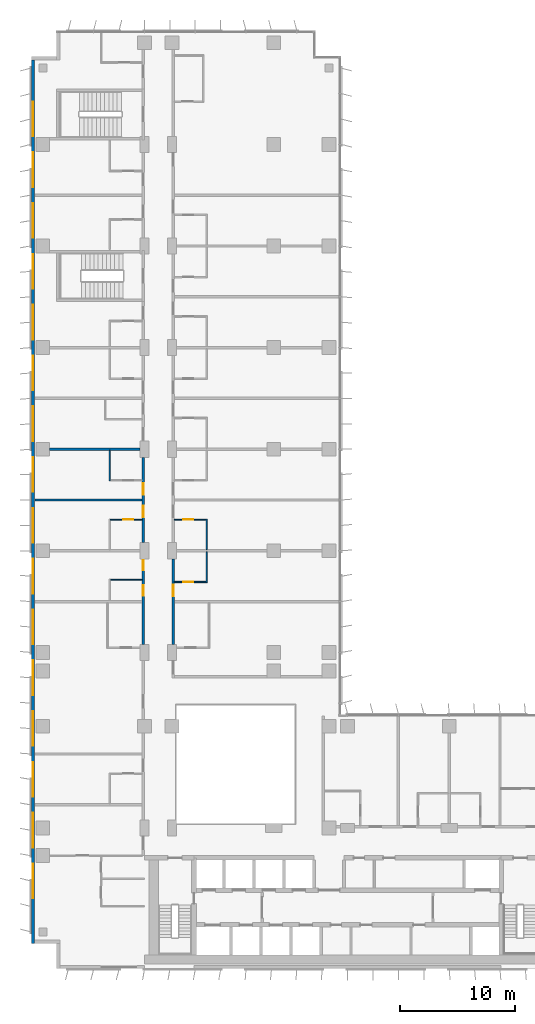
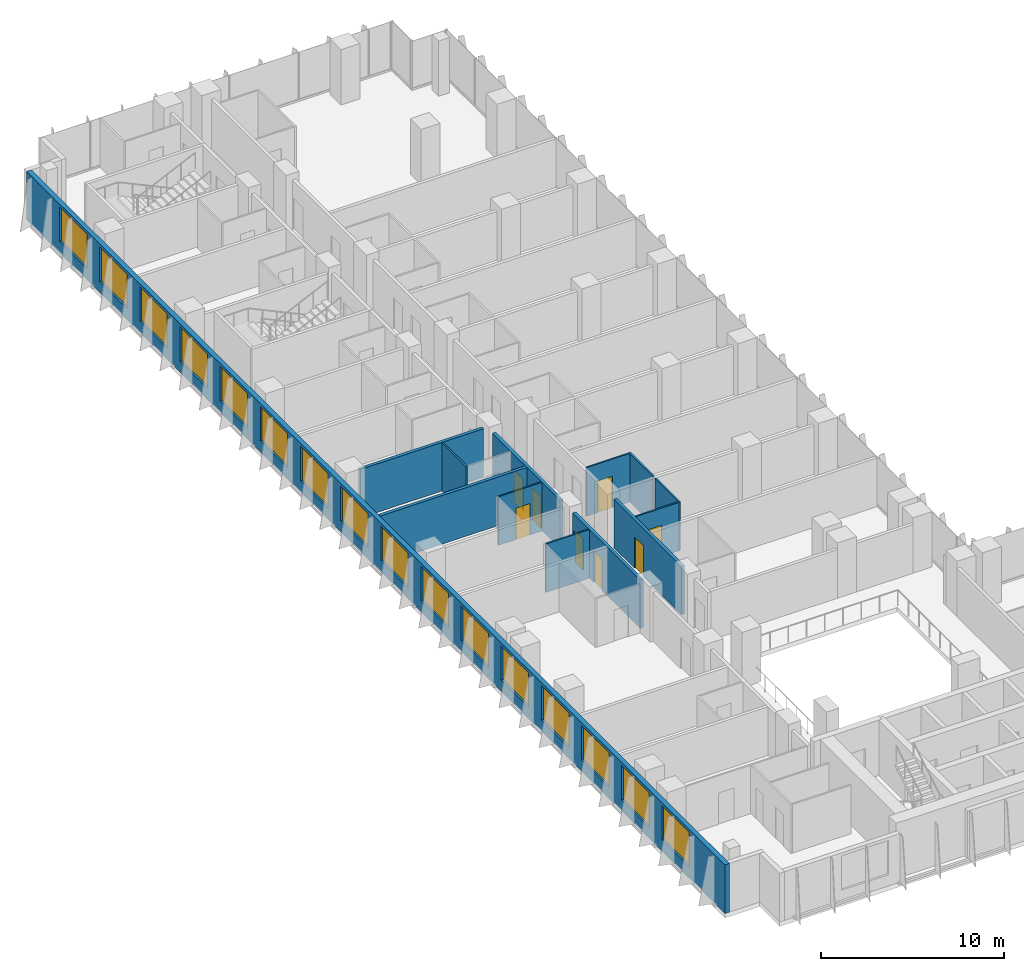
# One storey, part 15 of 22: 16 windows, 13 walls, 8 doors, 24 openings.
"""IFC4 building model written with IfcOpenShell, lengths in metres."""

import ifcopenshell
import ifcopenshell.guid

model = None  # the IFC model being written
_history = None  # IfcOwnerHistory: only IFC2X3 demands one
_inside = {}  # id of a spatial element -> (the spatial element, [elements in it])
_under = {}  # id of a project, library or spatial element -> (it, [spatial elements below it])
_declared = {}  # id of a project -> (the project, [libraries it declares])
_typed = {}  # id of a type object -> (the type object, [elements of that type])
_made_of = {}  # id of a material, layer set ... -> (it, [elements and type objects made of it])


def new_model(schema):
    """Start an empty IFC model of exactly this schema.

    Asked for "IFC4X3", IfcOpenShell would pick the latest addendum, in which some entities
    have other attributes; the version numbers below select the first issue.
    IFC2X3 requires an IfcOwnerHistory on every rooted entity: one is made here for all.
    """
    global model, _history
    if schema == "IFC4X3":
        model = ifcopenshell.file(schema_version=(4, 3, 0, 0))
    else:
        model = ifcopenshell.file(schema=schema)
    _inside.clear()
    _under.clear()
    _declared.clear()
    _typed.clear()
    _made_of.clear()
    _history = None
    if model.schema == "IFC2X3":
        org = make("IfcOrganization", Name="unknown")
        user = make(
            "IfcPersonAndOrganization",
            ThePerson=make("IfcPerson", FamilyName="unknown"),
            TheOrganization=org,
        )
        app = make(
            "IfcApplication",
            ApplicationDeveloper=org,
            Version="unknown",
            ApplicationFullName="unknown",
            ApplicationIdentifier="unknown",
        )
        _history = make(
            "IfcOwnerHistory",
            OwningUser=user,
            OwningApplication=app,
            ChangeAction="ADDED",
            CreationDate=0,
        )
    return model


def make(cls, **values):
    """One entity of the class cls with the attributes given. An attribute that is None is left unset."""
    return model.create_entity(
        cls, **{name: value for name, value in values.items() if value is not None}
    )


def rooted(cls, **values):
    """An entity with a GlobalId (a new one), such as an element, a storey or a relation."""
    return make(cls, GlobalId=ifcopenshell.guid.new(), OwnerHistory=_history, **values)


def si_unit(unit_type, name, prefix=None):
    """IfcSIUnit, for example si_unit("LENGTHUNIT", "METRE", prefix="MILLI")."""
    return make("IfcSIUnit", UnitType=unit_type, Prefix=prefix, Name=name)


def assignment(units):
    """IfcUnitAssignment: the units of a project."""
    return None if units is None else make("IfcUnitAssignment", Units=units)


def point(xyz):
    """IfcCartesianPoint."""
    return None if xyz is None else make("IfcCartesianPoint", Coordinates=xyz)


def direction(xyz):
    """IfcDirection."""
    return None if xyz is None else make("IfcDirection", DirectionRatios=xyz)


def frame(location, z_axis=None, x_axis=None):
    """IfcAxis2Placement3D, a coordinate frame: its origin and axes. An axis left out is left unset."""
    return make(
        "IfcAxis2Placement3D",
        Location=point(location),
        Axis=direction(z_axis),
        RefDirection=direction(x_axis),
    )


def frame_2d(location, x_axis=None):
    """IfcAxis2Placement2D, a coordinate frame in the plane: its origin and x axis."""
    return make(
        "IfcAxis2Placement2D", Location=point(location), RefDirection=direction(x_axis)
    )


def origin():
    """The frame at (0, 0, 0) with its axes left unset."""
    return frame((0.0, 0.0, 0.0))


def place(relative_to, where):
    """IfcLocalPlacement: puts the frame where relative to a parent placement (None: the world)."""
    return make(
        "IfcLocalPlacement", PlacementRelTo=relative_to, RelativePlacement=where
    )


def context(
    kind, dimensions, precision=None, world=None, true_north=None, identifier=None
):
    """IfcGeometricRepresentationContext, for example the 3D "Model" context."""
    return make(
        "IfcGeometricRepresentationContext",
        ContextIdentifier=identifier,
        ContextType=kind,
        CoordinateSpaceDimension=dimensions,
        Precision=precision,
        WorldCoordinateSystem=world,
        TrueNorth=true_north,
    )


def subcontext(parent, identifier, kind, view, scale=None):
    """IfcGeometricRepresentationSubContext, for example "Body" below "Model"."""
    return make(
        "IfcGeometricRepresentationSubContext",
        ContextIdentifier=identifier,
        ContextType=kind,
        ParentContext=parent,
        TargetScale=scale,
        TargetView=view,
    )


def project(units=None, contexts=None):
    """IfcProject with its units and contexts."""
    return rooted(
        "IfcProject",
        Name="project",
        RepresentationContexts=contexts,
        UnitsInContext=assignment(units),
    )


def spatial(cls, under=None, at=None, **own):
    """A site, building, storey or space (cls), placed at a placement, below another one or the project."""
    s = rooted(cls, ObjectPlacement=at, **own)
    if under is not None:
        _under.setdefault(under.id(), (under, []))[1].append(s)
    return s


def profile(cls, at=None, kind="AREA", **sizes):
    """A parametric profile (cls). Its sizes go by their IFC names, for example OverallWidth=200.0."""
    return make(cls, ProfileType=kind, Position=at, **sizes)


def rectangle(**sizes):
    """IfcRectangleProfileDef."""
    return profile("IfcRectangleProfileDef", **sizes)


def extrude(swept, where, along, depth):
    """IfcExtrudedAreaSolid: the profile swept, set in the frame where, extruded along a direction by depth."""
    return make(
        "IfcExtrudedAreaSolid",
        SweptArea=swept,
        Position=where,
        ExtrudedDirection=direction(along),
        Depth=depth,
    )


def shape(context_of_items, identifier, shape_type, items):
    """IfcShapeRepresentation: the items that make up one representation, for example the "Body"."""
    return make(
        "IfcShapeRepresentation",
        ContextOfItems=context_of_items,
        RepresentationIdentifier=identifier,
        RepresentationType=shape_type,
        Items=items,
    )


def material(Name=None, Category=None):
    """IfcMaterial."""
    return make("IfcMaterial", Name=Name, Category=Category)


def layer(
    of_material, thickness, ventilated=None, Name=None, Category=None, Priority=None
):
    """IfcMaterialLayer: one layer of a wall or slab, of a material (None: an air gap)."""
    return make(
        "IfcMaterialLayer",
        Material=of_material,
        LayerThickness=thickness,
        IsVentilated=ventilated,
        Name=Name,
        Category=Category,
        Priority=Priority,
    )


def layer_set(layers, Name=None):
    """IfcMaterialLayerSet."""
    return make("IfcMaterialLayerSet", MaterialLayers=layers, LayerSetName=Name)


def made_of(thing, what):
    """Note that an element or type object is made of a material, layer set ...; save() writes the relation."""
    if what is not None:
        _made_of.setdefault(what.id(), (what, []))[1].append(thing)
    return thing


def type_object(cls, material=None, **own):
    """A type object (cls), such as IfcWallType, which elements share."""
    return made_of(rooted(cls, **own), material)


def element(
    cls,
    number,
    at=None,
    inside=None,
    cuts=None,
    type_object=None,
    material=None,
    context=None,
    identifier="Body",
    shape_type=None,
    held_by="IfcProductDefinitionShape",
    body=None,
    shapes=None,
    **own,
):
    """One element of the class cls, such as IfcWall. Its Tag is "e" and its number.

    at: its placement. inside: the storey or other place that contains it. cuts: it is an
    opening in that element (IfcRelVoidsElement). A single representation is given by context,
    identifier, shape_type and body (its items); several are given by shapes. held_by: the class
    of the entity that holds the representations. save() writes the other relations.
    """
    e = rooted(cls, Tag="e%d" % number, ObjectPlacement=at, **own)
    if body is not None:
        shapes = [shape(context, identifier, shape_type, body)]
    if shapes is not None:
        e.Representation = make(held_by, Representations=shapes)
    if inside is not None:
        _inside.setdefault(inside.id(), (inside, []))[1].append(e)
    if cuts is not None:
        rooted(
            "IfcRelVoidsElement", RelatingBuildingElement=cuts, RelatedOpeningElement=e
        )
    if type_object is not None:
        _typed.setdefault(type_object.id(), (type_object, []))[1].append(e)
    return made_of(e, material)


def fill(opening, filler):
    """IfcRelFillsElement: the door or window that sits in an opening."""
    return rooted(
        "IfcRelFillsElement",
        RelatingOpeningElement=opening,
        RelatedBuildingElement=filler,
    )


def aggregate(whole, parts):
    """IfcRelAggregates: a whole, such as a stair, and the parts it consists of."""
    return rooted("IfcRelAggregates", RelatingObject=whole, RelatedObjects=parts)


def save(model, path):
    """Write the relations noted so far, then the file.

    IfcRelAggregates (storeys below a building ...), IfcRelContainedInSpatialStructure (elements
    in a storey), IfcRelDefinesByType, IfcRelAssociatesMaterial and IfcRelDeclares: one each for
    every whole, place, type object, material and project.
    """
    for whole, parts in _under.values():
        aggregate(whole, parts)
    for where, things in _inside.values():
        rooted(
            "IfcRelContainedInSpatialStructure",
            RelatedElements=things,
            RelatingStructure=where,
        )
    for kind, things in _typed.values():
        rooted("IfcRelDefinesByType", RelatedObjects=things, RelatingType=kind)
    for what, things in _made_of.values():
        rooted("IfcRelAssociatesMaterial", RelatedObjects=things, RelatingMaterial=what)
    for by, libraries in _declared.values():
        rooted("IfcRelDeclares", RelatingContext=by, RelatedDefinitions=libraries)
    model.write(path)


model = new_model("IFC4")

# Units and contexts
model_context = context("Model", 3, precision=1e-05, world=origin(), true_north=direction((0.0, 1.0)))
body_context = subcontext(model_context, "Body", "Model", "MODEL_VIEW")
ifc_project = project(units=[si_unit("LENGTHUNIT", "METRE"), si_unit("AREAUNIT", "SQUARE_METRE"), si_unit("VOLUMEUNIT", "CUBIC_METRE"), si_unit("PLANEANGLEUNIT", "RADIAN"), si_unit("MASSUNIT", "GRAM", prefix="KILO")], contexts=[model_context])

# Site, building, storey
site_placement = place(None, origin())
site = spatial("IfcSite", under=ifc_project, at=site_placement, CompositionType="ELEMENT")
building_placement = place(site_placement, origin())
building = spatial("IfcBuilding", under=site, at=building_placement, Name="Kemantara Hotel Tower", CompositionType="ELEMENT")
storey_placement = place(building_placement, frame((0.0, 0.0, 129.60009765625)))
storey = spatial("IfcBuildingStorey", under=building, at=storey_placement, Name="L31", CompositionType="ELEMENT", Elevation=129.60009765625)

# Wall, openings, windows
ifc_material_1 = material(Name="Bronze anodised aluminium cladding on insulated steel stud wall", Category="steel")
ifc_layer_1 = layer(ifc_material_1, 0.300048828125)
ifc_layer_set_1 = layer_set([ifc_layer_1], Name="Bronze anodised aluminium cladding on insulated steel stud wall")
wall_type_1 = type_object("IfcWallType", Name="BRONZE METAL-CLAD EXTERNAL WALL 300", PredefinedType="STANDARD", material=ifc_layer_set_1)
wall_1_placement = place(storey_placement, frame((0.14990234375, 78.699951171875, 0.0), z_axis=(0.0, 0.0, 1.0), x_axis=(0.0, -1.0, 0.0)))
wall_1 = element("IfcWall", 1, at=wall_1_placement, inside=storey, type_object=wall_type_1, Name="EXTERNAL WALL L31 T2-R04", PredefinedType="STANDARD", context=body_context, shape_type="SweptSolid", body=[
    extrude(rectangle(XDim=76.5, YDim=0.300048828125, at=frame_2d((38.25, 0.0))), origin(), (0.0, 0.0, 1.0), 3.25),
])
opening_1_placement = place(wall_1_placement, frame((3.60009765625, 0.0, 0.75)))
opening_1 = element("IfcOpeningElement", 2, at=opening_1_placement, cuts=wall_1, Name="Opening W1", PredefinedType="OPENING", context=body_context, shape_type="SweptSolid", body=[
    extrude(rectangle(XDim=3.0, YDim=2.300048828125, at=frame_2d((1.5, 1.14990234375))), frame((0.0, 0.159912109375, 0.0), z_axis=(0.0, -1.0, 0.0), x_axis=(1.0, 0.0, 0.0)), (0.0, 0.0, 1.0), 0.320068359375),
])
opening_2_placement = place(wall_1_placement, frame((8.0, 0.0, 0.75)))
opening_2 = element("IfcOpeningElement", 3, at=opening_2_placement, cuts=wall_1, Name="Opening W1", PredefinedType="OPENING", context=body_context, shape_type="SweptSolid", body=[
    extrude(rectangle(XDim=3.0, YDim=2.300048828125, at=frame_2d((1.5, 1.14990234375))), frame((0.0, 0.159912109375, 0.0), z_axis=(0.0, -1.0, 0.0), x_axis=(1.0, 0.0, 0.0)), (0.0, 0.0, 1.0), 0.320068359375),
])
opening_3_placement = place(wall_1_placement, frame((12.39990234375, 0.0, 0.75)))
opening_3 = element("IfcOpeningElement", 4, at=opening_3_placement, cuts=wall_1, Name="Opening W1", PredefinedType="OPENING", context=body_context, shape_type="SweptSolid", body=[
    extrude(rectangle(XDim=3.0, YDim=2.300048828125, at=frame_2d((1.5, 1.14990234375))), frame((0.0, 0.159912109375, 0.0), z_axis=(0.0, -1.0, 0.0), x_axis=(1.0, 0.0, 0.0)), (0.0, 0.0, 1.0), 0.320068359375),
])
opening_4_placement = place(wall_1_placement, frame((16.800048828125, 0.0, 0.75)))
opening_4 = element("IfcOpeningElement", 5, at=opening_4_placement, cuts=wall_1, Name="Opening W1", PredefinedType="OPENING", context=body_context, shape_type="SweptSolid", body=[
    extrude(rectangle(XDim=3.0, YDim=2.300048828125, at=frame_2d((1.5, 1.14990234375))), frame((0.0, 0.159912109375, 0.0), z_axis=(0.0, -1.0, 0.0), x_axis=(1.0, 0.0, 0.0)), (0.0, 0.0, 1.0), 0.320068359375),
])
opening_5_placement = place(wall_1_placement, frame((21.199951171875, 0.0, 0.75)))
opening_5 = element("IfcOpeningElement", 6, at=opening_5_placement, cuts=wall_1, Name="Opening W1", PredefinedType="OPENING", context=body_context, shape_type="SweptSolid", body=[
    extrude(rectangle(XDim=3.0, YDim=2.300048828125, at=frame_2d((1.5, 1.14990234375))), frame((0.0, 0.159912109375, 0.0), z_axis=(0.0, -1.0, 0.0), x_axis=(1.0, 0.0, 0.0)), (0.0, 0.0, 1.0), 0.320068359375),
])
opening_6_placement = place(wall_1_placement, frame((25.60009765625, 0.0, 0.75)))
opening_6 = element("IfcOpeningElement", 7, at=opening_6_placement, cuts=wall_1, Name="Opening W1", PredefinedType="OPENING", context=body_context, shape_type="SweptSolid", body=[
    extrude(rectangle(XDim=3.0, YDim=2.300048828125, at=frame_2d((1.5, 1.14990234375))), frame((0.0, 0.159912109375, 0.0), z_axis=(0.0, -1.0, 0.0), x_axis=(1.0, 0.0, 0.0)), (0.0, 0.0, 1.0), 0.320068359375),
])
opening_7_placement = place(wall_1_placement, frame((30.0, 0.0, 0.75)))
opening_7 = element("IfcOpeningElement", 8, at=opening_7_placement, cuts=wall_1, Name="Opening W1", PredefinedType="OPENING", context=body_context, shape_type="SweptSolid", body=[
    extrude(rectangle(XDim=3.0, YDim=2.300048828125, at=frame_2d((1.5, 1.14990234375))), frame((0.0, 0.159912109375, 0.0), z_axis=(0.0, -1.0, 0.0), x_axis=(1.0, 0.0, 0.0)), (0.0, 0.0, 1.0), 0.320068359375),
])
opening_8_placement = place(wall_1_placement, frame((34.39990234375, 0.0, 0.75)))
opening_8 = element("IfcOpeningElement", 9, at=opening_8_placement, cuts=wall_1, Name="Opening W1", PredefinedType="OPENING", context=body_context, shape_type="SweptSolid", body=[
    extrude(rectangle(XDim=3.0, YDim=2.300048828125, at=frame_2d((1.5, 1.14990234375))), frame((0.0, 0.159912109375, 0.0), z_axis=(0.0, -1.0, 0.0), x_axis=(1.0, 0.0, 0.0)), (0.0, 0.0, 1.0), 0.320068359375),
])
opening_9_placement = place(wall_1_placement, frame((38.800048828125, 0.0, 0.75)))
opening_9 = element("IfcOpeningElement", 10, at=opening_9_placement, cuts=wall_1, Name="Opening W1", PredefinedType="OPENING", context=body_context, shape_type="SweptSolid", body=[
    extrude(rectangle(XDim=3.0, YDim=2.300048828125, at=frame_2d((1.5, 1.14990234375))), frame((0.0, 0.159912109375, 0.0), z_axis=(0.0, -1.0, 0.0), x_axis=(1.0, 0.0, 0.0)), (0.0, 0.0, 1.0), 0.320068359375),
])
opening_10_placement = place(wall_1_placement, frame((43.199951171875, 0.0, 0.75)))
opening_10 = element("IfcOpeningElement", 11, at=opening_10_placement, cuts=wall_1, Name="Opening W1", PredefinedType="OPENING", context=body_context, shape_type="SweptSolid", body=[
    extrude(rectangle(XDim=3.0, YDim=2.300048828125, at=frame_2d((1.5, 1.14990234375))), frame((0.0, 0.159912109375, 0.0), z_axis=(0.0, -1.0, 0.0), x_axis=(1.0, 0.0, 0.0)), (0.0, 0.0, 1.0), 0.320068359375),
])
opening_11_placement = place(wall_1_placement, frame((47.60009765625, 0.0, 0.75)))
opening_11 = element("IfcOpeningElement", 12, at=opening_11_placement, cuts=wall_1, Name="Opening W1", PredefinedType="OPENING", context=body_context, shape_type="SweptSolid", body=[
    extrude(rectangle(XDim=3.0, YDim=2.300048828125, at=frame_2d((1.5, 1.14990234375))), frame((0.0, 0.159912109375, 0.0), z_axis=(0.0, -1.0, 0.0), x_axis=(1.0, 0.0, 0.0)), (0.0, 0.0, 1.0), 0.320068359375),
])
opening_12_placement = place(wall_1_placement, frame((52.0, 0.0, 0.75)))
opening_12 = element("IfcOpeningElement", 13, at=opening_12_placement, cuts=wall_1, Name="Opening W1", PredefinedType="OPENING", context=body_context, shape_type="SweptSolid", body=[
    extrude(rectangle(XDim=3.0, YDim=2.300048828125, at=frame_2d((1.5, 1.14990234375))), frame((0.0, 0.159912109375, 0.0), z_axis=(0.0, -1.0, 0.0), x_axis=(1.0, 0.0, 0.0)), (0.0, 0.0, 1.0), 0.320068359375),
])
opening_13_placement = place(wall_1_placement, frame((56.39990234375, 0.0, 0.75)))
opening_13 = element("IfcOpeningElement", 14, at=opening_13_placement, cuts=wall_1, Name="Opening W1", PredefinedType="OPENING", context=body_context, shape_type="SweptSolid", body=[
    extrude(rectangle(XDim=3.0, YDim=2.300048828125, at=frame_2d((1.5, 1.14990234375))), frame((0.0, 0.159912109375, 0.0), z_axis=(0.0, -1.0, 0.0), x_axis=(1.0, 0.0, 0.0)), (0.0, 0.0, 1.0), 0.320068359375),
])
opening_14_placement = place(wall_1_placement, frame((60.800048828125, 0.0, 0.75)))
opening_14 = element("IfcOpeningElement", 15, at=opening_14_placement, cuts=wall_1, Name="Opening W1", PredefinedType="OPENING", context=body_context, shape_type="SweptSolid", body=[
    extrude(rectangle(XDim=3.0, YDim=2.300048828125, at=frame_2d((1.5, 1.14990234375))), frame((0.0, 0.159912109375, 0.0), z_axis=(0.0, -1.0, 0.0), x_axis=(1.0, 0.0, 0.0)), (0.0, 0.0, 1.0), 0.320068359375),
])
opening_15_placement = place(wall_1_placement, frame((65.199951171875, 0.0, 0.75)))
opening_15 = element("IfcOpeningElement", 16, at=opening_15_placement, cuts=wall_1, Name="Opening W1", PredefinedType="OPENING", context=body_context, shape_type="SweptSolid", body=[
    extrude(rectangle(XDim=3.0, YDim=2.300048828125, at=frame_2d((1.5, 1.14990234375))), frame((0.0, 0.159912109375, 0.0), z_axis=(0.0, -1.0, 0.0), x_axis=(1.0, 0.0, 0.0)), (0.0, 0.0, 1.0), 0.320068359375),
])
opening_16_placement = place(wall_1_placement, frame((69.60009765625, 0.0, 0.75)))
opening_16 = element("IfcOpeningElement", 17, at=opening_16_placement, cuts=wall_1, Name="Opening W1", PredefinedType="OPENING", context=body_context, shape_type="SweptSolid", body=[
    extrude(rectangle(XDim=3.0, YDim=2.300048828125, at=frame_2d((1.5, 1.14990234375))), frame((0.0, 0.159912109375, 0.0), z_axis=(0.0, -1.0, 0.0), x_axis=(1.0, 0.0, 0.0)), (0.0, 0.0, 1.0), 0.320068359375),
])
ifc_material_2 = material(Name="Low-E tinted double insulated glass in bronze anodised aluminium frame", Category="aluminium")
window_type = type_object("IfcWindowType", Name="CHICAGO WINDOW, TRIPLE PANEL 3000x2300", PartitioningType="TRIPLE_PANEL_VERTICAL", PredefinedType="WINDOW", material=ifc_material_2)
window_1_placement = place(opening_1_placement, origin())
window_1 = element("IfcWindow", 18, at=window_1_placement, inside=storey, type_object=window_type, Name="CHICAGO WINDOW L31 T2-R04-54", OverallHeight=2.300048828125, OverallWidth=3.0, PartitioningType="SINGLE_PANEL", PredefinedType="WINDOW", context=body_context, shape_type="SweptSolid", body=[
    extrude(rectangle(XDim=3.0, YDim=2.300048828125, at=frame_2d((1.5, 1.14990234375))), frame((0.0, 0.030029296875, 0.0), z_axis=(0.0, -1.0, 0.0), x_axis=(1.0, 0.0, 0.0)), (0.0, 0.0, 1.0), 0.06005859375),
])
fill(opening_1, window_1)
window_2_placement = place(opening_2_placement, origin())
window_2 = element("IfcWindow", 19, at=window_2_placement, inside=storey, type_object=window_type, Name="CHICAGO WINDOW L31 T2-R04-98", OverallHeight=2.300048828125, OverallWidth=3.0, PartitioningType="SINGLE_PANEL", PredefinedType="WINDOW", context=body_context, shape_type="SweptSolid", body=[
    extrude(rectangle(XDim=3.0, YDim=2.300048828125, at=frame_2d((1.5, 1.14990234375))), frame((0.0, 0.030029296875, 0.0), z_axis=(0.0, -1.0, 0.0), x_axis=(1.0, 0.0, 0.0)), (0.0, 0.0, 1.0), 0.06005859375),
])
fill(opening_2, window_2)
window_3_placement = place(opening_3_placement, origin())
window_3 = element("IfcWindow", 20, at=window_3_placement, inside=storey, type_object=window_type, Name="CHICAGO WINDOW L31 T2-R04-142", OverallHeight=2.300048828125, OverallWidth=3.0, PartitioningType="SINGLE_PANEL", PredefinedType="WINDOW", context=body_context, shape_type="SweptSolid", body=[
    extrude(rectangle(XDim=3.0, YDim=2.300048828125, at=frame_2d((1.5, 1.14990234375))), frame((0.0, 0.030029296875, 0.0), z_axis=(0.0, -1.0, 0.0), x_axis=(1.0, 0.0, 0.0)), (0.0, 0.0, 1.0), 0.06005859375),
])
fill(opening_3, window_3)
window_4_placement = place(opening_4_placement, origin())
window_4 = element("IfcWindow", 21, at=window_4_placement, inside=storey, type_object=window_type, Name="CHICAGO WINDOW L31 T2-R04-186", OverallHeight=2.300048828125, OverallWidth=3.0, PartitioningType="SINGLE_PANEL", PredefinedType="WINDOW", context=body_context, shape_type="SweptSolid", body=[
    extrude(rectangle(XDim=3.0, YDim=2.300048828125, at=frame_2d((1.5, 1.14990234375))), frame((0.0, 0.030029296875, 0.0), z_axis=(0.0, -1.0, 0.0), x_axis=(1.0, 0.0, 0.0)), (0.0, 0.0, 1.0), 0.06005859375),
])
fill(opening_4, window_4)
window_5_placement = place(opening_5_placement, origin())
window_5 = element("IfcWindow", 22, at=window_5_placement, inside=storey, type_object=window_type, Name="CHICAGO WINDOW L31 T2-R04-230", OverallHeight=2.300048828125, OverallWidth=3.0, PartitioningType="SINGLE_PANEL", PredefinedType="WINDOW", context=body_context, shape_type="SweptSolid", body=[
    extrude(rectangle(XDim=3.0, YDim=2.300048828125, at=frame_2d((1.5, 1.14990234375))), frame((0.0, 0.030029296875, 0.0), z_axis=(0.0, -1.0, 0.0), x_axis=(1.0, 0.0, 0.0)), (0.0, 0.0, 1.0), 0.06005859375),
])
fill(opening_5, window_5)
window_6_placement = place(opening_6_placement, origin())
window_6 = element("IfcWindow", 23, at=window_6_placement, inside=storey, type_object=window_type, Name="CHICAGO WINDOW L31 T2-R04-274", OverallHeight=2.300048828125, OverallWidth=3.0, PartitioningType="SINGLE_PANEL", PredefinedType="WINDOW", context=body_context, shape_type="SweptSolid", body=[
    extrude(rectangle(XDim=3.0, YDim=2.300048828125, at=frame_2d((1.5, 1.14990234375))), frame((0.0, 0.030029296875, 0.0), z_axis=(0.0, -1.0, 0.0), x_axis=(1.0, 0.0, 0.0)), (0.0, 0.0, 1.0), 0.06005859375),
])
fill(opening_6, window_6)
window_7_placement = place(opening_7_placement, origin())
window_7 = element("IfcWindow", 24, at=window_7_placement, inside=storey, type_object=window_type, Name="CHICAGO WINDOW L31 T2-R04-318", OverallHeight=2.300048828125, OverallWidth=3.0, PartitioningType="SINGLE_PANEL", PredefinedType="WINDOW", context=body_context, shape_type="SweptSolid", body=[
    extrude(rectangle(XDim=3.0, YDim=2.300048828125, at=frame_2d((1.5, 1.14990234375))), frame((0.0, 0.030029296875, 0.0), z_axis=(0.0, -1.0, 0.0), x_axis=(1.0, 0.0, 0.0)), (0.0, 0.0, 1.0), 0.06005859375),
])
fill(opening_7, window_7)
window_8_placement = place(opening_8_placement, origin())
window_8 = element("IfcWindow", 25, at=window_8_placement, inside=storey, type_object=window_type, Name="CHICAGO WINDOW L31 T2-R04-362", OverallHeight=2.300048828125, OverallWidth=3.0, PartitioningType="SINGLE_PANEL", PredefinedType="WINDOW", context=body_context, shape_type="SweptSolid", body=[
    extrude(rectangle(XDim=3.0, YDim=2.300048828125, at=frame_2d((1.5, 1.14990234375))), frame((0.0, 0.030029296875, 0.0), z_axis=(0.0, -1.0, 0.0), x_axis=(1.0, 0.0, 0.0)), (0.0, 0.0, 1.0), 0.06005859375),
])
fill(opening_8, window_8)
window_9_placement = place(opening_9_placement, origin())
window_9 = element("IfcWindow", 26, at=window_9_placement, inside=storey, type_object=window_type, Name="CHICAGO WINDOW L31 T2-R04-406", OverallHeight=2.300048828125, OverallWidth=3.0, PartitioningType="SINGLE_PANEL", PredefinedType="WINDOW", context=body_context, shape_type="SweptSolid", body=[
    extrude(rectangle(XDim=3.0, YDim=2.300048828125, at=frame_2d((1.5, 1.14990234375))), frame((0.0, 0.030029296875, 0.0), z_axis=(0.0, -1.0, 0.0), x_axis=(1.0, 0.0, 0.0)), (0.0, 0.0, 1.0), 0.06005859375),
])
fill(opening_9, window_9)
window_10_placement = place(opening_10_placement, origin())
window_10 = element("IfcWindow", 27, at=window_10_placement, inside=storey, type_object=window_type, Name="CHICAGO WINDOW L31 T2-R04-450", OverallHeight=2.300048828125, OverallWidth=3.0, PartitioningType="SINGLE_PANEL", PredefinedType="WINDOW", context=body_context, shape_type="SweptSolid", body=[
    extrude(rectangle(XDim=3.0, YDim=2.300048828125, at=frame_2d((1.5, 1.14990234375))), frame((0.0, 0.030029296875, 0.0), z_axis=(0.0, -1.0, 0.0), x_axis=(1.0, 0.0, 0.0)), (0.0, 0.0, 1.0), 0.06005859375),
])
fill(opening_10, window_10)
window_11_placement = place(opening_11_placement, origin())
window_11 = element("IfcWindow", 28, at=window_11_placement, inside=storey, type_object=window_type, Name="CHICAGO WINDOW L31 T2-R04-494", OverallHeight=2.300048828125, OverallWidth=3.0, PartitioningType="SINGLE_PANEL", PredefinedType="WINDOW", context=body_context, shape_type="SweptSolid", body=[
    extrude(rectangle(XDim=3.0, YDim=2.300048828125, at=frame_2d((1.5, 1.14990234375))), frame((0.0, 0.030029296875, 0.0), z_axis=(0.0, -1.0, 0.0), x_axis=(1.0, 0.0, 0.0)), (0.0, 0.0, 1.0), 0.06005859375),
])
fill(opening_11, window_11)
window_12_placement = place(opening_12_placement, origin())
window_12 = element("IfcWindow", 29, at=window_12_placement, inside=storey, type_object=window_type, Name="CHICAGO WINDOW L31 T2-R04-538", OverallHeight=2.300048828125, OverallWidth=3.0, PartitioningType="SINGLE_PANEL", PredefinedType="WINDOW", context=body_context, shape_type="SweptSolid", body=[
    extrude(rectangle(XDim=3.0, YDim=2.300048828125, at=frame_2d((1.5, 1.14990234375))), frame((0.0, 0.030029296875, 0.0), z_axis=(0.0, -1.0, 0.0), x_axis=(1.0, 0.0, 0.0)), (0.0, 0.0, 1.0), 0.06005859375),
])
fill(opening_12, window_12)
window_13_placement = place(opening_13_placement, origin())
window_13 = element("IfcWindow", 30, at=window_13_placement, inside=storey, type_object=window_type, Name="CHICAGO WINDOW L31 T2-R04-582", OverallHeight=2.300048828125, OverallWidth=3.0, PartitioningType="SINGLE_PANEL", PredefinedType="WINDOW", context=body_context, shape_type="SweptSolid", body=[
    extrude(rectangle(XDim=3.0, YDim=2.300048828125, at=frame_2d((1.5, 1.14990234375))), frame((0.0, 0.030029296875, 0.0), z_axis=(0.0, -1.0, 0.0), x_axis=(1.0, 0.0, 0.0)), (0.0, 0.0, 1.0), 0.06005859375),
])
fill(opening_13, window_13)
window_14_placement = place(opening_14_placement, origin())
window_14 = element("IfcWindow", 31, at=window_14_placement, inside=storey, type_object=window_type, Name="CHICAGO WINDOW L31 T2-R04-626", OverallHeight=2.300048828125, OverallWidth=3.0, PartitioningType="SINGLE_PANEL", PredefinedType="WINDOW", context=body_context, shape_type="SweptSolid", body=[
    extrude(rectangle(XDim=3.0, YDim=2.300048828125, at=frame_2d((1.5, 1.14990234375))), frame((0.0, 0.030029296875, 0.0), z_axis=(0.0, -1.0, 0.0), x_axis=(1.0, 0.0, 0.0)), (0.0, 0.0, 1.0), 0.06005859375),
])
fill(opening_14, window_14)
window_15_placement = place(opening_15_placement, origin())
window_15 = element("IfcWindow", 32, at=window_15_placement, inside=storey, type_object=window_type, Name="CHICAGO WINDOW L31 T2-R04-670", OverallHeight=2.300048828125, OverallWidth=3.0, PartitioningType="SINGLE_PANEL", PredefinedType="WINDOW", context=body_context, shape_type="SweptSolid", body=[
    extrude(rectangle(XDim=3.0, YDim=2.300048828125, at=frame_2d((1.5, 1.14990234375))), frame((0.0, 0.030029296875, 0.0), z_axis=(0.0, -1.0, 0.0), x_axis=(1.0, 0.0, 0.0)), (0.0, 0.0, 1.0), 0.06005859375),
])
fill(opening_15, window_15)
window_16_placement = place(opening_16_placement, origin())
window_16 = element("IfcWindow", 33, at=window_16_placement, inside=storey, type_object=window_type, Name="CHICAGO WINDOW L31 T2-R04-714", OverallHeight=2.300048828125, OverallWidth=3.0, PartitioningType="SINGLE_PANEL", PredefinedType="WINDOW", context=body_context, shape_type="SweptSolid", body=[
    extrude(rectangle(XDim=3.0, YDim=2.300048828125, at=frame_2d((1.5, 1.14990234375))), frame((0.0, 0.030029296875, 0.0), z_axis=(0.0, -1.0, 0.0), x_axis=(1.0, 0.0, 0.0)), (0.0, 0.0, 1.0), 0.06005859375),
])
fill(opening_16, window_16)

# Wall, openings, doors
ifc_material_3 = material(Name="Gypsum board partition, steel studs and mineral wool, 200 mm", Category="steel")
ifc_layer_2 = layer(ifc_material_3, 0.199951171875)
ifc_layer_set_2 = layer_set([ifc_layer_2], Name="Gypsum board partition, steel studs and mineral wool, 200 mm")
wall_type_2 = type_object("IfcWallType", Name="CORRIDOR WALL 200", PredefinedType="PARTITIONING", material=ifc_layer_set_2)
wall_2_placement = place(storey_placement, frame((9.699951171875, 28.10009765625, 0.0), z_axis=(0.0, 0.0, 1.0), x_axis=(0.0, 1.0, 0.0)))
wall_2 = element("IfcWall", 34, at=wall_2_placement, inside=storey, type_object=wall_type_2, Name="CORRIDOR WALL 200 018", PredefinedType="PARTITIONING", context=body_context, shape_type="SweptSolid", body=[
    extrude(rectangle(XDim=7.39990234375, YDim=0.199951171875, at=frame_2d((3.699951171875, 0.0))), origin(), (0.0, 0.0, 1.0), 3.25),
])
opening_17_placement = place(wall_2_placement, frame((6.39990234375, 0.0, 0.0)))
opening_17 = element("IfcOpeningElement", 35, at=opening_17_placement, cuts=wall_2, Name="Opening F14-025", PredefinedType="OPENING", context=body_context, shape_type="SweptSolid", body=[
    extrude(rectangle(XDim=0.89990234375, YDim=2.10009765625, at=frame_2d((0.449951171875, 1.050048828125))), frame((0.0, 0.10986328125, 0.0), z_axis=(0.0, -1.0, 0.0), x_axis=(1.0, 0.0, 0.0)), (0.0, 0.0, 1.0), 0.219970703125),
])
opening_18_placement = place(wall_2_placement, frame((4.199951171875, 0.0, 0.0)))
opening_18 = element("IfcOpeningElement", 36, at=opening_18_placement, cuts=wall_2, Name="Opening F14-026", PredefinedType="OPENING", context=body_context, shape_type="SweptSolid", body=[
    extrude(rectangle(XDim=0.89990234375, YDim=2.10009765625, at=frame_2d((0.449951171875, 1.050048828125))), frame((0.0, 0.10986328125, 0.0), z_axis=(0.0, -1.0, 0.0), x_axis=(1.0, 0.0, 0.0)), (0.0, 0.0, 1.0), 0.219970703125),
])
ifc_material_4 = material(Name="Steel door leaf with steel frame", Category="steel")
door_type_1 = type_object("IfcDoorType", Name="SERVICE ROOM DOOR 900 X 2100 FD60", OperationType="NOTDEFINED", PredefinedType="DOOR", material=ifc_material_4)
door_1_placement = place(opening_17_placement, origin())
door_1 = element("IfcDoor", 37, at=door_1_placement, inside=storey, type_object=door_type_1, Name="SERVICE ROOM DOOR F14-025", OperationType="SINGLE_SWING_RIGHT", OverallHeight=2.10009765625, OverallWidth=0.89990234375, PredefinedType="DOOR", context=body_context, shape_type="SweptSolid", body=[
    extrude(rectangle(XDim=0.89990234375, YDim=2.10009765625, at=frame_2d((0.449951171875, 1.050048828125))), frame((0.0, 0.02490234375, 0.0), z_axis=(0.0, -1.0, 0.0), x_axis=(1.0, 0.0, 0.0)), (0.0, 0.0, 1.0), 0.050048828125),
])
fill(opening_17, door_1)
door_2_placement = place(opening_18_placement, origin())
door_2 = element("IfcDoor", 38, at=door_2_placement, inside=storey, type_object=door_type_1, Name="SERVICE ROOM DOOR F14-026", OperationType="SINGLE_SWING_LEFT", OverallHeight=2.10009765625, OverallWidth=0.89990234375, PredefinedType="DOOR", context=body_context, shape_type="SweptSolid", body=[
    extrude(rectangle(XDim=0.89990234375, YDim=2.10009765625, at=frame_2d((0.449951171875, 1.050048828125))), frame((0.0, 0.02490234375, 0.0), z_axis=(0.0, -1.0, 0.0), x_axis=(1.0, 0.0, 0.0)), (0.0, 0.0, 1.0), 0.050048828125),
])
fill(opening_18, door_2)

wall_3_placement = place(storey_placement, frame((9.699951171875, 36.900146484375, 0.0), z_axis=(0.0, 0.0, 1.0), x_axis=(0.0, 1.0, 0.0)))
wall_3 = element("IfcWall", 39, at=wall_3_placement, inside=storey, type_object=wall_type_2, Name="CORRIDOR WALL 200 019", PredefinedType="PARTITIONING", context=body_context, shape_type="SweptSolid", body=[
    extrude(rectangle(XDim=7.399658203125, YDim=0.199951171875, at=frame_2d((3.69970703125, 0.0))), origin(), (0.0, 0.0, 1.0), 3.25),
])
opening_19_placement = place(wall_3_placement, frame((2.199951171875, 0.0, 0.0)))
opening_19 = element("IfcOpeningElement", 40, at=opening_19_placement, cuts=wall_3, Name="Opening F14-027", PredefinedType="OPENING", context=body_context, shape_type="SweptSolid", body=[
    extrude(rectangle(XDim=1.0, YDim=2.10009765625, at=frame_2d((0.5, 1.050048828125))), frame((0.0, 0.10986328125, 0.0), z_axis=(0.0, -1.0, 0.0), x_axis=(1.0, 0.0, 0.0)), (0.0, 0.0, 1.0), 0.219970703125),
])
opening_20_placement = place(wall_3_placement, frame((4.14990234375, 0.0, 0.0)))
opening_20 = element("IfcOpeningElement", 41, at=opening_20_placement, cuts=wall_3, Name="Opening F14-029", PredefinedType="OPENING", context=body_context, shape_type="SweptSolid", body=[
    extrude(rectangle(XDim=1.0, YDim=2.10009765625, at=frame_2d((0.5, 1.050048828125))), frame((0.0, 0.10986328125, 0.0), z_axis=(0.0, -1.0, 0.0), x_axis=(1.0, 0.0, 0.0)), (0.0, 0.0, 1.0), 0.219970703125),
])
ifc_material_5 = material(Name="Hardwood veneer door leaf with steel frame", Category="steel")
door_type_2 = type_object("IfcDoorType", Name="GUEST ROOM DOOR 1000 X 2100 FD30S", OperationType="NOTDEFINED", PredefinedType="DOOR", material=ifc_material_5)
door_3_placement = place(opening_19_placement, origin())
door_3 = element("IfcDoor", 42, at=door_3_placement, inside=storey, type_object=door_type_2, Name="GUEST ROOM DOOR F14-027", OperationType="SINGLE_SWING_RIGHT", OverallHeight=2.10009765625, OverallWidth=1.0, PredefinedType="DOOR", context=body_context, shape_type="SweptSolid", body=[
    extrude(rectangle(XDim=1.0, YDim=2.10009765625, at=frame_2d((0.5, 1.050048828125))), frame((0.0, 0.02490234375, 0.0), z_axis=(0.0, -1.0, 0.0), x_axis=(1.0, 0.0, 0.0)), (0.0, 0.0, 1.0), 0.050048828125),
])
fill(opening_19, door_3)
door_4_placement = place(opening_20_placement, origin())
door_4 = element("IfcDoor", 43, at=door_4_placement, inside=storey, type_object=door_type_2, Name="GUEST ROOM DOOR F14-029", OperationType="SINGLE_SWING_LEFT", OverallHeight=2.10009765625, OverallWidth=1.0, PredefinedType="DOOR", context=body_context, shape_type="SweptSolid", body=[
    extrude(rectangle(XDim=1.0, YDim=2.10009765625, at=frame_2d((0.5, 1.050048828125))), frame((0.0, 0.02490234375, 0.0), z_axis=(0.0, -1.0, 0.0), x_axis=(1.0, 0.0, 0.0)), (0.0, 0.0, 1.0), 0.050048828125),
])
fill(opening_20, door_4)

# Wall, opening, door
wall_4_placement = place(storey_placement, frame((12.300048828125, 35.5, 0.0), z_axis=(0.0, 0.0, 1.0), x_axis=(0.0, -1.0, 0.0)))
wall_4 = element("IfcWall", 44, at=wall_4_placement, inside=storey, type_object=wall_type_2, Name="CORRIDOR WALL 200 044", PredefinedType="PARTITIONING", context=body_context, shape_type="SweptSolid", body=[
    extrude(rectangle(XDim=7.39990234375, YDim=0.199951171875, at=frame_2d((3.699951171875, 0.0))), origin(), (0.0, 0.0, 1.0), 3.25),
])
opening_21_placement = place(wall_4_placement, frame((2.25, 0.0, 0.0)))
opening_21 = element("IfcOpeningElement", 45, at=opening_21_placement, cuts=wall_4, Name="Opening F14-045", PredefinedType="OPENING", context=body_context, shape_type="SweptSolid", body=[
    extrude(rectangle(XDim=1.0, YDim=2.10009765625, at=frame_2d((0.5, 1.050048828125))), frame((0.0, 0.10986328125, 0.0), z_axis=(0.0, -1.0, 0.0), x_axis=(1.0, 0.0, 0.0)), (0.0, 0.0, 1.0), 0.219970703125),
])
door_5_placement = place(opening_21_placement, origin())
door_5 = element("IfcDoor", 46, at=door_5_placement, inside=storey, type_object=door_type_2, Name="GUEST ROOM DOOR F14-045", OperationType="SINGLE_SWING_RIGHT", OverallHeight=2.10009765625, OverallWidth=1.0, PredefinedType="DOOR", context=body_context, shape_type="SweptSolid", body=[
    extrude(rectangle(XDim=1.0, YDim=2.10009765625, at=frame_2d((0.5, 1.050048828125))), frame((0.0, 0.02490234375, 0.0), z_axis=(0.0, -1.0, 0.0), x_axis=(1.0, 0.0, 0.0)), (0.0, 0.0, 1.0), 0.050048828125),
])
fill(opening_21, door_5)

# Walls
ifc_layer_3 = layer(ifc_material_3, 0.199951171875)
ifc_layer_set_3 = layer_set([ifc_layer_3], Name="Gypsum board partition, steel studs and mineral wool, 200 mm")
wall_type_3 = type_object("IfcWallType", Name="GUEST ROOM PARTY WALL 200", PredefinedType="PARTITIONING", material=ifc_layer_set_3)
wall_5_placement = place(storey_placement, frame((0.31005859375, 40.60009765625, 0.0), z_axis=(0.0, 0.0, 1.0), x_axis=(1.0, 0.0, 0.0)))
element("IfcWall", 47, at=wall_5_placement, inside=storey, type_object=wall_type_3, Name="GUEST ROOM PARTY WALL 200 031", PredefinedType="PARTITIONING", context=body_context, shape_type="SweptSolid", body=[
    extrude(rectangle(XDim=9.2900390625, YDim=0.199951171875, at=frame_2d((4.64501953125, 0.0))), origin(), (0.0, 0.0, 1.0), 3.25),
])
wall_6_placement = place(storey_placement, frame((1.60009765625, 45.0, 0.0), z_axis=(0.0, 0.0, 1.0), x_axis=(1.0, 0.0, 0.0)))
element("IfcWall", 48, at=wall_6_placement, inside=storey, type_object=wall_type_3, Name="GUEST ROOM PARTY WALL 200 033", PredefinedType="PARTITIONING", context=body_context, shape_type="SweptSolid", body=[
    extrude(rectangle(XDim=7.7998046875, YDim=0.199951171875, at=frame_2d((3.89990234375, 0.0))), origin(), (0.0, 0.0, 1.0), 3.25),
])
ifc_material_6 = material(Name="Gypsum board partition on steel studs, 100 mm", Category="steel")
ifc_layer_4 = layer(ifc_material_6, 0.10009765625)
ifc_layer_set_4 = layer_set([ifc_layer_4], Name="Gypsum board partition on steel studs, 100 mm")
wall_type_4 = type_object("IfcWallType", Name="ROOM PARTITION 100", PredefinedType="PARTITIONING", material=ifc_layer_set_4)
wall_7_placement = place(storey_placement, frame((6.800048828125, 42.25, 0.0), z_axis=(0.0, 0.0, 1.0), x_axis=(0.0, 1.0, 0.0)))
element("IfcWall", 49, at=wall_7_placement, inside=storey, type_object=wall_type_4, Name="ROOM PARTITION 100 078", PredefinedType="PARTITIONING", context=body_context, shape_type="SweptSolid", body=[
    extrude(rectangle(XDim=2.64990234375, YDim=0.10009765625, at=frame_2d((1.324951171875, 0.0))), origin(), (0.0, 0.0, 1.0), 3.25),
])
wall_8_placement = place(storey_placement, frame((6.85009765625, 33.699951171875, 0.0), z_axis=(0.0, 0.0, 1.0), x_axis=(1.0, 0.0, 0.0)))
element("IfcWall", 50, at=wall_8_placement, inside=storey, type_object=wall_type_4, Name="ROOM PARTITION 100 087", PredefinedType="PARTITIONING", context=body_context, shape_type="SweptSolid", body=[
    extrude(rectangle(XDim=2.75, YDim=0.10009765625, at=frame_2d((1.375, 0.0))), origin(), (0.0, 0.0, 1.0), 3.25),
])

# Wall, opening, door
wall_9_placement = place(storey_placement, frame((9.60009765625, 38.89990234375, 0.0), z_axis=(0.0, 0.0, 1.0), x_axis=(-1.0, 0.0, 0.0)))
wall_9 = element("IfcWall", 51, at=wall_9_placement, inside=storey, type_object=wall_type_4, Name="ROOM PARTITION 100 088", PredefinedType="PARTITIONING", context=body_context, shape_type="SweptSolid", body=[
    extrude(rectangle(XDim=2.75, YDim=0.10009765625, at=frame_2d((1.375, 0.0))), origin(), (0.0, 0.0, 1.0), 3.25),
])
opening_22_placement = place(wall_9_placement, frame((0.75, 0.0, 0.0)))
opening_22 = element("IfcOpeningElement", 52, at=opening_22_placement, cuts=wall_9, Name="Opening F14-028", PredefinedType="OPENING", context=body_context, shape_type="SweptSolid", body=[
    extrude(rectangle(XDim=0.89990234375, YDim=2.10009765625, at=frame_2d((0.449951171875, 1.050048828125))), frame((0.0, 0.06005859375, 0.0), z_axis=(0.0, -1.0, 0.0), x_axis=(1.0, 0.0, 0.0)), (0.0, 0.0, 1.0), 0.1201171875),
])
door_type_3 = type_object("IfcDoorType", Name="BATHROOM DOOR 900 X 2100", OperationType="NOTDEFINED", PredefinedType="DOOR", material=ifc_material_5)
door_6_placement = place(opening_22_placement, origin())
door_6 = element("IfcDoor", 53, at=door_6_placement, inside=storey, type_object=door_type_3, Name="BATHROOM DOOR F14-028", OperationType="SINGLE_SWING_LEFT", OverallHeight=2.10009765625, OverallWidth=0.89990234375, PredefinedType="DOOR", context=body_context, shape_type="SweptSolid", body=[
    extrude(rectangle(XDim=0.89990234375, YDim=2.10009765625, at=frame_2d((0.449951171875, 1.050048828125))), frame((0.0, 0.02490234375, 0.0), z_axis=(0.0, -1.0, 0.0), x_axis=(1.0, 0.0, 0.0)), (0.0, 0.0, 1.0), 0.050048828125),
])
fill(opening_22, door_6)

wall_10_placement = place(storey_placement, frame((15.14990234375, 38.89990234375, 0.0), z_axis=(0.0, 0.0, 1.0), x_axis=(-1.0, 0.0, 0.0)))
wall_10 = element("IfcWall", 54, at=wall_10_placement, inside=storey, type_object=wall_type_4, Name="ROOM PARTITION 100 089", PredefinedType="PARTITIONING", context=body_context, shape_type="SweptSolid", body=[
    extrude(rectangle(XDim=2.75, YDim=0.10009765625, at=frame_2d((1.375, 0.0))), origin(), (0.0, 0.0, 1.0), 3.25),
])
opening_23_placement = place(wall_10_placement, frame((1.10009765625, 0.0, 0.0)))
opening_23 = element("IfcOpeningElement", 55, at=opening_23_placement, cuts=wall_10, Name="Opening F14-048", PredefinedType="OPENING", context=body_context, shape_type="SweptSolid", body=[
    extrude(rectangle(XDim=0.89990234375, YDim=2.10009765625, at=frame_2d((0.449951171875, 1.050048828125))), frame((0.0, 0.06005859375, 0.0), z_axis=(0.0, -1.0, 0.0), x_axis=(1.0, 0.0, 0.0)), (0.0, 0.0, 1.0), 0.1201171875),
])
door_7_placement = place(opening_23_placement, origin())
door_7 = element("IfcDoor", 56, at=door_7_placement, inside=storey, type_object=door_type_3, Name="BATHROOM DOOR F14-048", OperationType="SINGLE_SWING_RIGHT", OverallHeight=2.10009765625, OverallWidth=0.89990234375, PredefinedType="DOOR", context=body_context, shape_type="SweptSolid", body=[
    extrude(rectangle(XDim=0.89990234375, YDim=2.10009765625, at=frame_2d((0.449951171875, 1.050048828125))), frame((0.0, 0.02490234375, 0.0), z_axis=(0.0, -1.0, 0.0), x_axis=(1.0, 0.0, 0.0)), (0.0, 0.0, 1.0), 0.050048828125),
])
fill(opening_23, door_7)

# Walls
wall_11_placement = place(storey_placement, frame((15.199951171875, 33.449951171875, 0.0), z_axis=(0.0, 0.0, 1.0), x_axis=(0.0, 1.0, 0.0)))
element("IfcWall", 57, at=wall_11_placement, inside=storey, type_object=wall_type_4, Name="ROOM PARTITION 100 101", PredefinedType="PARTITIONING", context=body_context, shape_type="SweptSolid", body=[
    extrude(rectangle(XDim=2.650146484375, YDim=0.10009765625, at=frame_2d((1.3251953125, 0.0))), origin(), (0.0, 0.0, 1.0), 3.25),
])
wall_12_placement = place(storey_placement, frame((15.199951171875, 36.300048828125, 0.0), z_axis=(0.0, 0.0, 1.0), x_axis=(0.0, 1.0, 0.0)))
element("IfcWall", 58, at=wall_12_placement, inside=storey, type_object=wall_type_4, Name="ROOM PARTITION 100 102", PredefinedType="PARTITIONING", context=body_context, shape_type="SweptSolid", body=[
    extrude(rectangle(XDim=2.64990234375, YDim=0.10009765625, at=frame_2d((1.324951171875, 0.0))), origin(), (0.0, 0.0, 1.0), 3.25),
])

# Wall, opening, door
wall_13_placement = place(storey_placement, frame((12.39990234375, 33.5, 0.0), z_axis=(0.0, 0.0, 1.0), x_axis=(1.0, 0.0, 0.0)))
wall_13 = element("IfcWall", 59, at=wall_13_placement, inside=storey, type_object=wall_type_4, Name="ROOM PARTITION 100 109", PredefinedType="PARTITIONING", context=body_context, shape_type="SweptSolid", body=[
    extrude(rectangle(XDim=2.75, YDim=0.10009765625, at=frame_2d((1.375, 0.0))), origin(), (0.0, 0.0, 1.0), 3.25),
])
opening_24_placement = place(wall_13_placement, frame((0.75, 0.0, 0.0)))
opening_24 = element("IfcOpeningElement", 60, at=opening_24_placement, cuts=wall_13, Name="Opening F14-046", PredefinedType="OPENING", context=body_context, shape_type="SweptSolid", body=[
    extrude(rectangle(XDim=0.89990234375, YDim=2.10009765625, at=frame_2d((0.449951171875, 1.050048828125))), frame((0.0, 0.06005859375, 0.0), z_axis=(0.0, -1.0, 0.0), x_axis=(1.0, 0.0, 0.0)), (0.0, 0.0, 1.0), 0.1201171875),
])
door_8_placement = place(opening_24_placement, origin())
door_8 = element("IfcDoor", 61, at=door_8_placement, inside=storey, type_object=door_type_3, Name="BATHROOM DOOR F14-046", OperationType="SINGLE_SWING_LEFT", OverallHeight=2.10009765625, OverallWidth=0.89990234375, PredefinedType="DOOR", context=body_context, shape_type="SweptSolid", body=[
    extrude(rectangle(XDim=0.89990234375, YDim=2.10009765625, at=frame_2d((0.449951171875, 1.050048828125))), frame((0.0, 0.02490234375, 0.0), z_axis=(0.0, -1.0, 0.0), x_axis=(1.0, 0.0, 0.0)), (0.0, 0.0, 1.0), 0.050048828125),
])
fill(opening_24, door_8)

save(model, "model.ifc")
